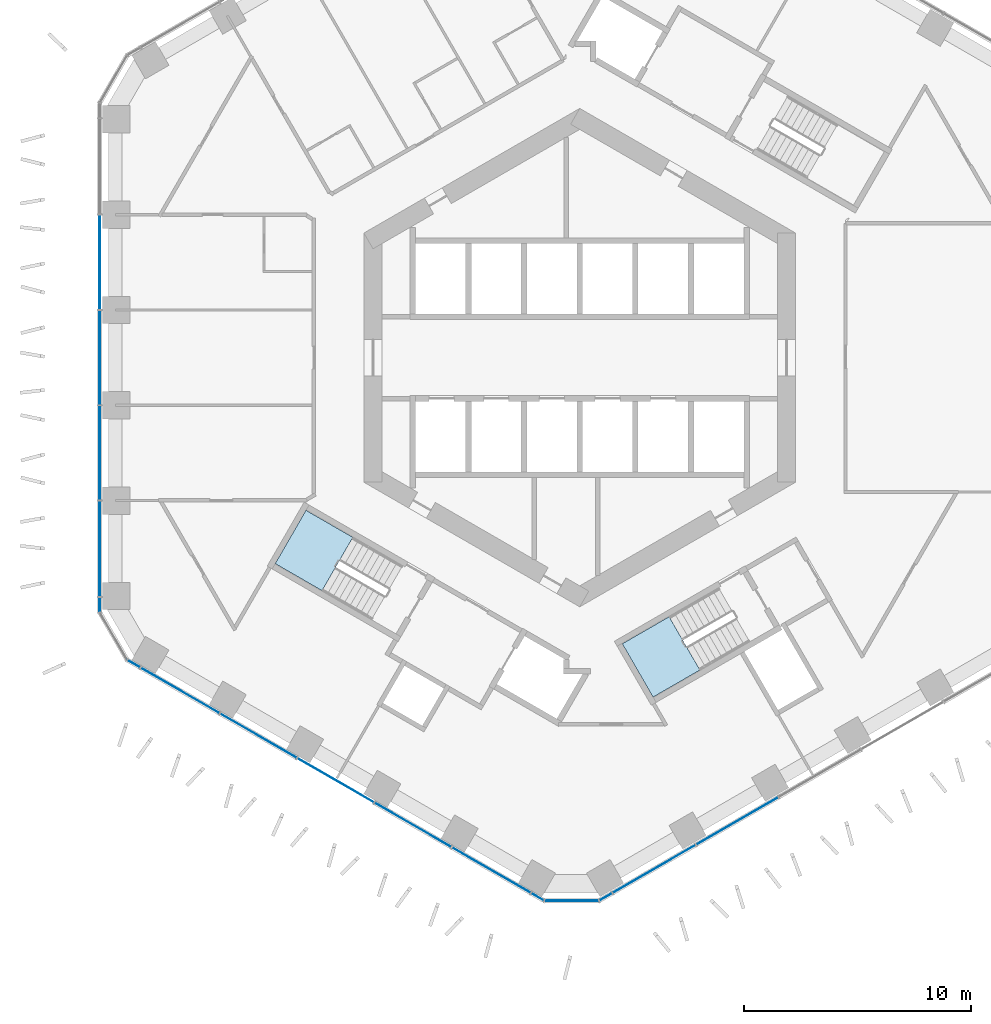
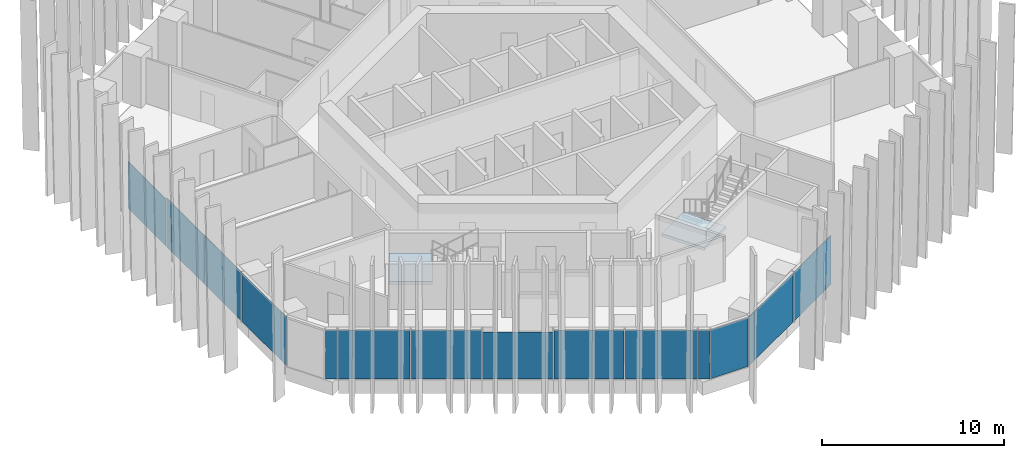
# One storey, part 9 of 19: 16 plates, 2 slabs, 7 elements without a shape of their own.
"""IFC4 building model written with IfcOpenShell, lengths in metres."""

from ifc_helpers import new_model, si_unit, direction, frame, origin, origin_2d, place, context, subcontext, project, spatial, polyline, rectangle, outline, extrude, material, layer, layer_set, type_object, element, aggregate, save


model = new_model("IFC4")

# Units and contexts
model_context = context("Model", 3, precision=1e-05, world=origin(), true_north=direction((0.0, 1.0)))
body_context = subcontext(model_context, "Body", "Model", "MODEL_VIEW")
ifc_project = project(units=[si_unit("LENGTHUNIT", "METRE"), si_unit("AREAUNIT", "SQUARE_METRE"), si_unit("VOLUMEUNIT", "CUBIC_METRE"), si_unit("PLANEANGLEUNIT", "RADIAN"), si_unit("MASSUNIT", "GRAM", prefix="KILO")], contexts=[model_context])

# Site, building, storey
site_placement = place(None, origin())
site = spatial("IfcSite", under=ifc_project, at=site_placement, CompositionType="ELEMENT")
building_placement = place(site_placement, origin())
building = spatial("IfcBuilding", under=site, at=building_placement, Name="Ayvan Gate Tower", CompositionType="ELEMENT")
storey_placement = place(building_placement, frame((0.0, 0.0, 45.89990234375)))
storey = spatial("IfcBuildingStorey", under=building, at=storey_placement, Name="L11", CompositionType="ELEMENT", Elevation=45.89990234375)

# Stair, slab
ifc_material_1 = material(Name="Concrete C40/50", Category="concrete")
stair_type = type_object("IfcStairType", Name="ST-EXIT", PredefinedType="HALF_TURN_STAIR", material=ifc_material_1)
stair_1_placement = place(storey_placement, origin())
stair_1 = element("IfcStair", 1, at=stair_1_placement, inside=storey, type_object=stair_type, Name="L11 Exit Stair S2", PredefinedType="HALF_TURN_STAIR")
ifc_layer_1 = layer(ifc_material_1, 0.199951171875)
ifc_layer_set_1 = layer_set([ifc_layer_1], Name="Concrete C40/50")
slab_type = type_object("IfcSlabType", Name="SL-LANDING-200", PredefinedType="LANDING", material=ifc_layer_set_1)
slab_1_placement = place(storey_placement, frame((0.0, 0.0, 1.5)))
slab_1 = element("IfcSlab", 2, at=slab_1_placement, type_object=slab_type, Name="STS2 landing 1", PredefinedType="LANDING", context=body_context, shape_type="SweptSolid", body=[
    extrude(outline(polyline([(-9.988525390625, -7.91064453125), (-12.049560546875, -6.720458984375), (-13.404541015625, -9.0673828125), (-11.343505859375, -10.257568359375), (-9.988525390625, -7.91064453125)])), origin(), (0.0, 0.0, 1.0), 0.2001953125),
])
aggregate(stair_1, [slab_1])

stair_2_placement = place(storey_placement, origin())
stair_2 = element("IfcStair", 3, at=stair_2_placement, inside=storey, type_object=stair_type, Name="L11 Exit Stair S3", PredefinedType="HALF_TURN_STAIR")
slab_2_placement = place(storey_placement, frame((0.0, 0.0, 1.5)))
slab_2 = element("IfcSlab", 4, at=slab_2_placement, type_object=slab_type, Name="STS3 landing 1", PredefinedType="LANDING", context=body_context, shape_type="SweptSolid", body=[
    extrude(outline(polyline([(3.93505859375, -11.405517578125), (1.873779296875, -12.595458984375), (3.228759765625, -14.9423828125), (5.2900390625, -13.75244140625), (3.93505859375, -11.405517578125)])), origin(), (0.0, 0.0, 1.0), 0.2001953125),
])
aggregate(stair_2, [slab_2])

# Curtain wall, plates
ifc_material_2 = material(Name="Bronze anodised aluminium", Category="aluminium")
ifc_layer_2 = layer(ifc_material_2, 0.199951171875)
ifc_layer_set_2 = layer_set([ifc_layer_2], Name="Bronze anodised aluminium")
curtain_wall_type_1 = type_object("IfcCurtainWallType", Name="Stick curtain wall CW-1", PredefinedType="NOTDEFINED", material=ifc_layer_set_2)
curtain_wall_1_placement = place(storey_placement, origin())
curtain_wall_1 = element("IfcCurtainWall", 5, at=curtain_wall_1_placement, inside=storey, type_object=curtain_wall_type_1, Name="Stick curtain wall CW-1 L11", PredefinedType="NOTDEFINED")
ifc_material_3 = material(Name="Clear low-iron laminated glass", Category="glass")
ifc_layer_3 = layer(ifc_material_3, 0.028076171875)
ifc_layer_set_3 = layer_set([ifc_layer_3], Name="Clear low-iron laminated glass")
plate_type_1 = type_object("IfcPlateType", Name="Stick curtain wall CW-1 glass panel", PredefinedType="CURTAIN_PANEL", material=ifc_layer_set_3)
plate_1_placement = place(storey_placement, frame((-21.12841796875, 4.1962890625, 0.000244140625), z_axis=(0.0, 0.0, 1.0), x_axis=(0.0, -1.0, 0.0)))
plate_1 = element("IfcPlate", 6, at=plate_1_placement, type_object=plate_type_1, Name="CW-1 glass panel 2", PredefinedType="CURTAIN_PANEL", context=body_context, shape_type="SweptSolid", body=[
    extrude(rectangle(XDim=4.136962890625, YDim=0.028076171875, at=origin_2d()), origin(), (0.0, 0.0, 1.0), 3.14990234375),
])
plate_2_placement = place(storey_placement, frame((-21.12841796875, -0.000244140625, 0.0), z_axis=(0.0, 0.0, 1.0), x_axis=(0.0, -1.0, 0.0)))
plate_2 = element("IfcPlate", 7, at=plate_2_placement, type_object=plate_type_1, Name="CW-1 glass panel 3", PredefinedType="CURTAIN_PANEL", context=body_context, shape_type="SweptSolid", body=[
    extrude(rectangle(XDim=4.135986328125, YDim=0.028076171875, at=origin_2d()), origin(), (0.0, 0.0, 1.0), 3.280029296875),
])
plate_3_placement = place(storey_placement, frame((-21.12841796875, -4.1962890625, 0.0), z_axis=(0.0, 0.0, 1.0), x_axis=(0.0, -1.0, 0.0)))
plate_3 = element("IfcPlate", 8, at=plate_3_placement, type_object=plate_type_1, Name="CW-1 glass panel 4", PredefinedType="CURTAIN_PANEL", context=body_context, shape_type="SweptSolid", body=[
    extrude(rectangle(XDim=4.135986328125, YDim=0.028076171875, at=origin_2d()), origin(), (0.0, 0.0, 1.0), 3.280029296875),
])
plate_4_placement = place(storey_placement, frame((-21.12841796875, -8.429931640625, 0.0), z_axis=(0.0, 0.0, 1.0), x_axis=(0.0, -1.0, 0.0)))
plate_4 = element("IfcPlate", 9, at=plate_4_placement, type_object=plate_type_1, Name="CW-1 glass panel 5", PredefinedType="CURTAIN_PANEL", context=body_context, shape_type="SweptSolid", body=[
    extrude(rectangle(XDim=4.21142578125, YDim=0.028076171875, at=origin_2d()), origin(), (0.0, 0.0, 1.0), 3.280029296875),
])
aggregate(curtain_wall_1, [plate_1, plate_2, plate_3, plate_4])

curtain_wall_2_placement = place(storey_placement, origin())
curtain_wall_2 = element("IfcCurtainWall", 10, at=curtain_wall_2_placement, inside=storey, type_object=curtain_wall_type_1, Name="Stick curtain wall CW-1 L11", PredefinedType="NOTDEFINED")
plate_5_placement = place(storey_placement, frame((-17.6025390625, -14.6455078125, 0.0), z_axis=(0.0, 0.0, 1.0), x_axis=(0.866025403784, -0.5, 0.0)))
plate_5 = element("IfcPlate", 11, at=plate_5_placement, type_object=plate_type_1, Name="CW-1 glass panel 1", PredefinedType="CURTAIN_PANEL", context=body_context, shape_type="SweptSolid", body=[
    extrude(rectangle(XDim=3.9951171875, YDim=0.028076171875, at=origin_2d()), origin(), (0.0, 0.0, 1.0), 3.280029296875),
])
plate_6_placement = place(storey_placement, frame((-14.145263671875, -16.6416015625, 0.0), z_axis=(0.0, 0.0, 1.0), x_axis=(0.866025403784, -0.5, 0.0)))
plate_6 = element("IfcPlate", 12, at=plate_6_placement, type_object=plate_type_1, Name="CW-1 glass panel 2", PredefinedType="CURTAIN_PANEL", context=body_context, shape_type="SweptSolid", body=[
    extrude(rectangle(XDim=3.868896484375, YDim=0.028076171875, at=origin_2d()), origin(), (0.0, 0.0, 1.0), 3.280029296875),
])
plate_7_placement = place(storey_placement, frame((-10.74267578125, -18.60595703125, 0.000244140625), z_axis=(0.0, 0.0, 1.0), x_axis=(0.866025403784, -0.5, 0.0)))
plate_7 = element("IfcPlate", 13, at=plate_7_placement, type_object=plate_type_1, Name="CW-1 glass panel 3", PredefinedType="CURTAIN_PANEL", context=body_context, shape_type="SweptSolid", body=[
    extrude(rectangle(XDim=3.868896484375, YDim=0.028076171875, at=origin_2d()), origin(), (0.0, 0.0, 1.0), 3.14990234375),
])
plate_8_placement = place(storey_placement, frame((-7.340087890625, -20.570556640625, 0.0), z_axis=(0.0, 0.0, 1.0), x_axis=(0.866025403784, -0.5, 0.0)))
plate_8 = element("IfcPlate", 14, at=plate_8_placement, type_object=plate_type_1, Name="CW-1 glass panel 4", PredefinedType="CURTAIN_PANEL", context=body_context, shape_type="SweptSolid", body=[
    extrude(rectangle(XDim=3.868896484375, YDim=0.028076171875, at=origin_2d()), origin(), (0.0, 0.0, 1.0), 3.280029296875),
])
plate_9_placement = place(storey_placement, frame((-3.882568359375, -22.566650390625, 0.0), z_axis=(0.0, 0.0, 1.0), x_axis=(0.866025403784, -0.5, 0.0)))
plate_9 = element("IfcPlate", 15, at=plate_9_placement, type_object=plate_type_1, Name="CW-1 glass panel 5", PredefinedType="CURTAIN_PANEL", context=body_context, shape_type="SweptSolid", body=[
    extrude(rectangle(XDim=3.995849609375, YDim=0.028076171875, at=origin_2d()), origin(), (0.0, 0.0, 1.0), 3.280029296875),
])
aggregate(curtain_wall_2, [plate_5, plate_6, plate_7, plate_8, plate_9])

curtain_wall_3_placement = place(storey_placement, origin())
curtain_wall_3 = element("IfcCurtainWall", 16, at=curtain_wall_3_placement, inside=storey, type_object=curtain_wall_type_1, Name="Stick curtain wall CW-1 L11", PredefinedType="NOTDEFINED")
plate_10_placement = place(storey_placement, frame((3.263427734375, -22.512939453125, 0.0), z_axis=(0.0, 0.0, 1.0), x_axis=(0.866025403784, 0.5, 0.0)))
plate_10 = element("IfcPlate", 17, at=plate_10_placement, type_object=plate_type_1, Name="CW-1 glass panel 1", PredefinedType="CURTAIN_PANEL", context=body_context, shape_type="SweptSolid", body=[
    extrude(rectangle(XDim=4.2109375, YDim=0.028076171875, at=origin_2d()), origin(), (0.0, 0.0, 1.0), 3.280029296875),
])
plate_11_placement = place(storey_placement, frame((6.93017578125, -20.39599609375, 0.0), z_axis=(0.0, 0.0, 1.0), x_axis=(0.866025403784, 0.5, 0.0)))
plate_11 = element("IfcPlate", 18, at=plate_11_placement, type_object=plate_type_1, Name="CW-1 glass panel 2", PredefinedType="CURTAIN_PANEL", context=body_context, shape_type="SweptSolid", body=[
    extrude(rectangle(XDim=4.136962890625, YDim=0.028076171875, at=origin_2d()), origin(), (0.0, 0.0, 1.0), 3.280029296875),
])
aggregate(curtain_wall_3, [plate_10, plate_11])

ifc_layer_4 = layer(ifc_material_2, 0.199951171875)
ifc_layer_set_4 = layer_set([ifc_layer_4], Name="Bronze anodised aluminium")
curtain_wall_type_2 = type_object("IfcCurtainWallType", Name="Stick curtain wall CW-6", PredefinedType="NOTDEFINED", material=ifc_layer_set_4)
curtain_wall_4_placement = place(storey_placement, origin())
curtain_wall_4 = element("IfcCurtainWall", 19, at=curtain_wall_4_placement, inside=storey, type_object=curtain_wall_type_2, Name="Stick curtain wall CW-6 L11", PredefinedType="NOTDEFINED")
ifc_layer_5 = layer(ifc_material_3, 0.028076171875)
ifc_layer_set_5 = layer_set([ifc_layer_5], Name="Clear low-iron laminated glass")
plate_type_2 = type_object("IfcPlateType", Name="Stick curtain wall CW-6 glass panel", PredefinedType="CURTAIN_PANEL", material=ifc_layer_set_5)
plate_12_placement = place(storey_placement, frame((-21.12841796875, -10.878173828125, 0.0), z_axis=(0.0, 0.0, 1.0), x_axis=(0.0, -1.0, 0.0)))
plate_12 = element("IfcPlate", 20, at=plate_12_placement, type_object=plate_type_2, Name="CW-6 glass panel 1", PredefinedType="CURTAIN_PANEL", context=body_context, shape_type="SweptSolid", body=[
    extrude(rectangle(XDim=0.625, YDim=0.028076171875, at=origin_2d()), origin(), (0.0, 0.0, 1.0), 3.280029296875),
])
plate_13_placement = place(storey_placement, frame((-19.62890625, -13.4755859375, 0.0), z_axis=(0.0, 0.0, 1.0), x_axis=(0.866025403784, -0.5, 0.0)))
plate_13 = element("IfcPlate", 21, at=plate_13_placement, type_object=plate_type_2, Name="CW-6 glass panel 3", PredefinedType="CURTAIN_PANEL", context=body_context, shape_type="SweptSolid", body=[
    extrude(rectangle(XDim=0.625, YDim=0.028076171875, at=origin_2d()), origin(), (0.0, 0.0, 1.0), 3.280029296875),
])
aggregate(curtain_wall_4, [plate_12, plate_13])

curtain_wall_5_placement = place(storey_placement, origin())
curtain_wall_5 = element("IfcCurtainWall", 22, at=curtain_wall_5_placement, inside=storey, type_object=curtain_wall_type_2, Name="Stick curtain wall CW-6 L11", PredefinedType="NOTDEFINED")
plate_14_placement = place(storey_placement, frame((-1.855712890625, -23.73681640625, 0.0), z_axis=(0.0, 0.0, 1.0), x_axis=(0.866025403784, -0.5, 0.0)))
plate_14 = element("IfcPlate", 23, at=plate_14_placement, type_object=plate_type_2, Name="CW-6 glass panel 1", PredefinedType="CURTAIN_PANEL", context=body_context, shape_type="SweptSolid", body=[
    extrude(rectangle(XDim=0.625, YDim=0.028076171875, at=origin_2d()), origin(), (0.0, 0.0, 1.0), 3.280029296875),
])
plate_15_placement = place(storey_placement, frame((-0.356201171875, -23.90576171875, 0.0), z_axis=(0.0, 0.0, 1.0), x_axis=(1.0, 0.0, 0.0)))
plate_15 = element("IfcPlate", 24, at=plate_15_placement, type_object=plate_type_2, Name="CW-6 glass panel 2", PredefinedType="CURTAIN_PANEL", context=body_context, shape_type="SweptSolid", body=[
    extrude(rectangle(XDim=2.364501953125, YDim=0.028076171875, at=origin_2d()), origin(), (0.0, 0.0, 1.0), 3.280029296875),
])
plate_16_placement = place(storey_placement, frame((1.1435546875, -23.73681640625, 0.0), z_axis=(0.0, 0.0, 1.0), x_axis=(0.866025403784, 0.5, 0.0)))
plate_16 = element("IfcPlate", 25, at=plate_16_placement, type_object=plate_type_2, Name="CW-6 glass panel 3", PredefinedType="CURTAIN_PANEL", context=body_context, shape_type="SweptSolid", body=[
    extrude(rectangle(XDim=0.625, YDim=0.028076171875, at=origin_2d()), origin(), (0.0, 0.0, 1.0), 3.280029296875),
])
aggregate(curtain_wall_5, [plate_14, plate_15, plate_16])

save(model, "model.ifc")
